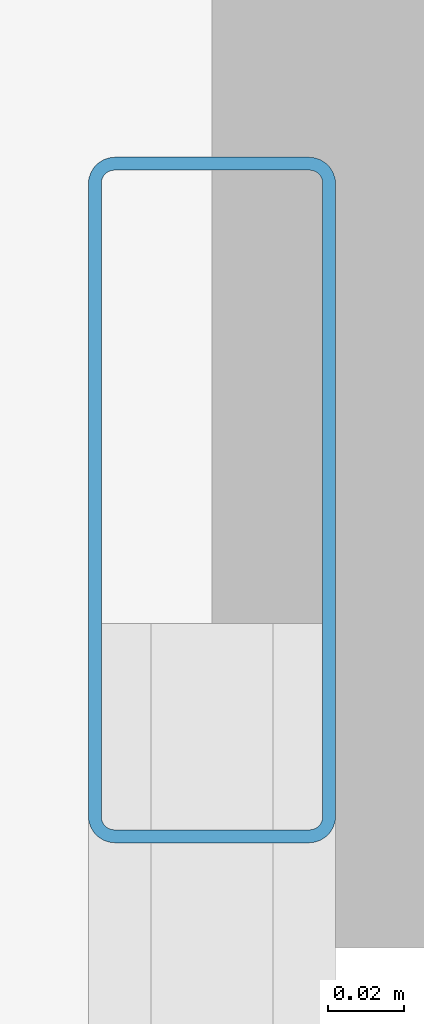
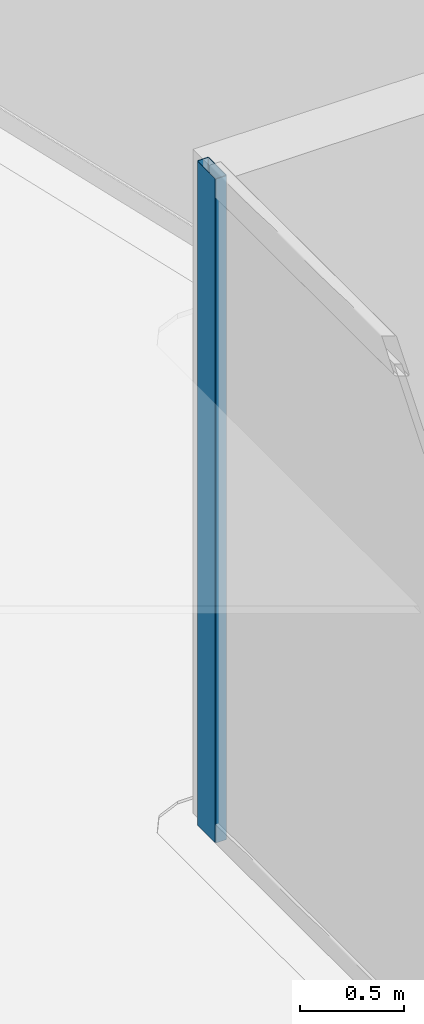
# One storey, part 20 of 45: 1 member, 1 element without a shape of its own.
"""IFC4 building model written with IfcOpenShell, lengths in metres."""

from ifc_helpers import new_model, si_unit, direction, frame, origin, origin_2d, place, context, subcontext, project, spatial, hollow_rectangle, extrude, material, layer, layer_set, material_profile, profile_set, type_object, element, aggregate, save


model = new_model("IFC4")

# Units and contexts
model_context = context("Model", 3, precision=1e-05, world=origin(), true_north=direction((0.0, 1.0)))
body_context = subcontext(model_context, "Body", "Model", "MODEL_VIEW")
ifc_project = project(units=[si_unit("LENGTHUNIT", "METRE"), si_unit("AREAUNIT", "SQUARE_METRE"), si_unit("VOLUMEUNIT", "CUBIC_METRE"), si_unit("PLANEANGLEUNIT", "RADIAN"), si_unit("MASSUNIT", "GRAM", prefix="KILO")], contexts=[model_context])

# Site, building, storey
site_placement = place(None, origin())
site = spatial("IfcSite", under=ifc_project, at=site_placement, CompositionType="ELEMENT")
building_placement = place(site_placement, origin())
building = spatial("IfcBuilding", under=site, at=building_placement, Name="Qorvath Tower", CompositionType="ELEMENT")
storey_placement = place(building_placement, frame((0.0, 0.0, 95.39990234375)))
storey = spatial("IfcBuildingStorey", under=building, at=storey_placement, Name="L21", CompositionType="ELEMENT", Elevation=95.39990234375)

# Curtain wall, member
ifc_material_1 = material(Name="Anodised aluminium and triple low-E glass", Category="aluminium")
ifc_layer = layer(ifc_material_1, 0.179931640625)
ifc_layer_set = layer_set([ifc_layer], Name="CW-SYS-2")
curtain_wall_type = type_object("IfcCurtainWallType", Name="CW-SYS-2", PredefinedType="NOTDEFINED", material=ifc_layer_set)
curtain_wall_placement = place(storey_placement, origin())
curtain_wall = element("IfcCurtainWall", 1, at=curtain_wall_placement, inside=storey, type_object=curtain_wall_type, Name="Curtain Wall CW-2 CW-T-L21-9.1", PredefinedType="NOTDEFINED")
ifc_material_2 = material(Name="Anodised aluminium 6063-T6", Category="aluminium")
ifc_material_profile = material_profile(ifc_material_2, hollow_rectangle(XDim=0.06494140625, YDim=0.179931640625, WallThickness=0.00341796875, InnerFilletRadius=0.00341796875, OuterFilletRadius=0.007080078125, at=origin_2d()), Name="CWM 180x65")
ifc_profile_set = profile_set([ifc_material_profile], Name="Anodised aluminium 6063-T6")
member_type = type_object("IfcMemberType", Name="CWM-180", PredefinedType="MULLION", material=ifc_profile_set)
member_placement = place(storey_placement, frame((2.17236328125, 5.065185546875, 0.0), z_axis=(0.0, 0.0, 1.0), x_axis=(-1.0, 0.0, 0.0)))
member = element("IfcMember", 2, at=member_placement, type_object=member_type, Name="CW-2 mullion 3", PredefinedType="MULLION", context=body_context, shape_type="SweptSolid", body=[
    extrude(hollow_rectangle(XDim=0.06494140625, YDim=0.179931640625, WallThickness=0.00341796875, InnerFilletRadius=0.00341796875, OuterFilletRadius=0.007080078125, at=origin_2d()), origin(), (0.0, 0.0, 1.0), 3.900146484375),
])
aggregate(curtain_wall, [member])

save(model, "model.ifc")
